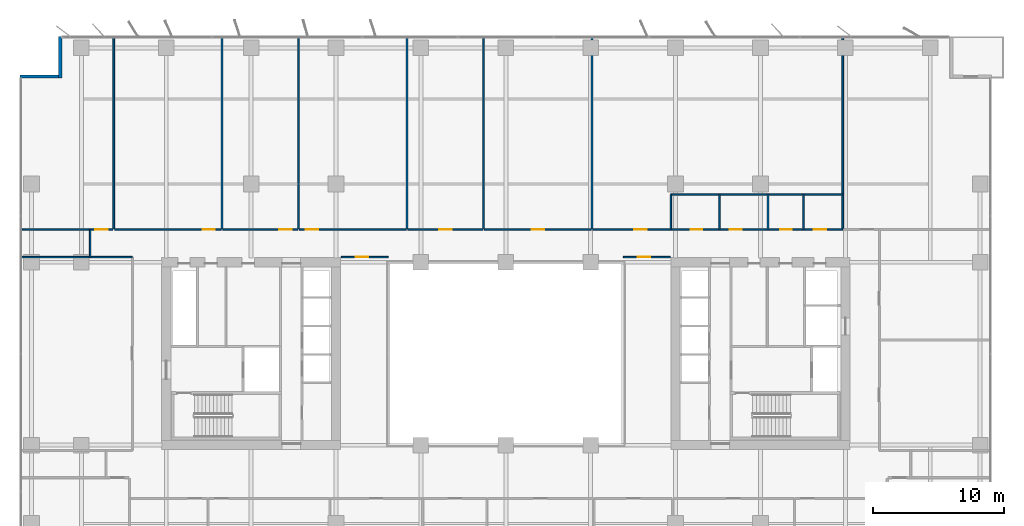
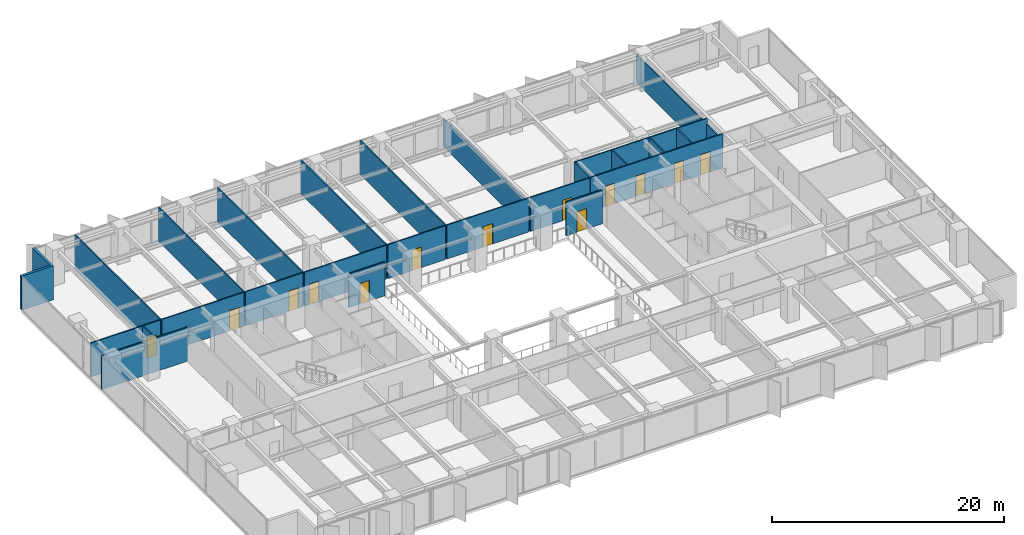
# One storey, part 15 of 20: 26 walls, 13 doors, 13 openings.
"""IFC4 building model written with IfcOpenShell, lengths in metres."""

import ifcopenshell
import ifcopenshell.guid

model = None  # the IFC model being written
_history = None  # IfcOwnerHistory: only IFC2X3 demands one
_inside = {}  # id of a spatial element -> (the spatial element, [elements in it])
_under = {}  # id of a project, library or spatial element -> (it, [spatial elements below it])
_declared = {}  # id of a project -> (the project, [libraries it declares])
_typed = {}  # id of a type object -> (the type object, [elements of that type])
_made_of = {}  # id of a material, layer set ... -> (it, [elements and type objects made of it])


def new_model(schema):
    """Start an empty IFC model of exactly this schema.

    Asked for "IFC4X3", IfcOpenShell would pick the latest addendum, in which some entities
    have other attributes; the version numbers below select the first issue.
    IFC2X3 requires an IfcOwnerHistory on every rooted entity: one is made here for all.
    """
    global model, _history
    if schema == "IFC4X3":
        model = ifcopenshell.file(schema_version=(4, 3, 0, 0))
    else:
        model = ifcopenshell.file(schema=schema)
    _inside.clear()
    _under.clear()
    _declared.clear()
    _typed.clear()
    _made_of.clear()
    _history = None
    if model.schema == "IFC2X3":
        org = make("IfcOrganization", Name="unknown")
        user = make(
            "IfcPersonAndOrganization",
            ThePerson=make("IfcPerson", FamilyName="unknown"),
            TheOrganization=org,
        )
        app = make(
            "IfcApplication",
            ApplicationDeveloper=org,
            Version="unknown",
            ApplicationFullName="unknown",
            ApplicationIdentifier="unknown",
        )
        _history = make(
            "IfcOwnerHistory",
            OwningUser=user,
            OwningApplication=app,
            ChangeAction="ADDED",
            CreationDate=0,
        )
    return model


def make(cls, **values):
    """One entity of the class cls with the attributes given. An attribute that is None is left unset."""
    return model.create_entity(
        cls, **{name: value for name, value in values.items() if value is not None}
    )


def rooted(cls, **values):
    """An entity with a GlobalId (a new one), such as an element, a storey or a relation."""
    return make(cls, GlobalId=ifcopenshell.guid.new(), OwnerHistory=_history, **values)


def si_unit(unit_type, name, prefix=None):
    """IfcSIUnit, for example si_unit("LENGTHUNIT", "METRE", prefix="MILLI")."""
    return make("IfcSIUnit", UnitType=unit_type, Prefix=prefix, Name=name)


def assignment(units):
    """IfcUnitAssignment: the units of a project."""
    return None if units is None else make("IfcUnitAssignment", Units=units)


def point(xyz):
    """IfcCartesianPoint."""
    return None if xyz is None else make("IfcCartesianPoint", Coordinates=xyz)


def direction(xyz):
    """IfcDirection."""
    return None if xyz is None else make("IfcDirection", DirectionRatios=xyz)


def frame(location, z_axis=None, x_axis=None):
    """IfcAxis2Placement3D, a coordinate frame: its origin and axes. An axis left out is left unset."""
    return make(
        "IfcAxis2Placement3D",
        Location=point(location),
        Axis=direction(z_axis),
        RefDirection=direction(x_axis),
    )


def frame_2d(location, x_axis=None):
    """IfcAxis2Placement2D, a coordinate frame in the plane: its origin and x axis."""
    return make(
        "IfcAxis2Placement2D", Location=point(location), RefDirection=direction(x_axis)
    )


def origin():
    """The frame at (0, 0, 0) with its axes left unset."""
    return frame((0.0, 0.0, 0.0))


def place(relative_to, where):
    """IfcLocalPlacement: puts the frame where relative to a parent placement (None: the world)."""
    return make(
        "IfcLocalPlacement", PlacementRelTo=relative_to, RelativePlacement=where
    )


def context(
    kind, dimensions, precision=None, world=None, true_north=None, identifier=None
):
    """IfcGeometricRepresentationContext, for example the 3D "Model" context."""
    return make(
        "IfcGeometricRepresentationContext",
        ContextIdentifier=identifier,
        ContextType=kind,
        CoordinateSpaceDimension=dimensions,
        Precision=precision,
        WorldCoordinateSystem=world,
        TrueNorth=true_north,
    )


def subcontext(parent, identifier, kind, view, scale=None):
    """IfcGeometricRepresentationSubContext, for example "Body" below "Model"."""
    return make(
        "IfcGeometricRepresentationSubContext",
        ContextIdentifier=identifier,
        ContextType=kind,
        ParentContext=parent,
        TargetScale=scale,
        TargetView=view,
    )


def project(units=None, contexts=None):
    """IfcProject with its units and contexts."""
    return rooted(
        "IfcProject",
        Name="project",
        RepresentationContexts=contexts,
        UnitsInContext=assignment(units),
    )


def spatial(cls, under=None, at=None, **own):
    """A site, building, storey or space (cls), placed at a placement, below another one or the project."""
    s = rooted(cls, ObjectPlacement=at, **own)
    if under is not None:
        _under.setdefault(under.id(), (under, []))[1].append(s)
    return s


def profile(cls, at=None, kind="AREA", **sizes):
    """A parametric profile (cls). Its sizes go by their IFC names, for example OverallWidth=200.0."""
    return make(cls, ProfileType=kind, Position=at, **sizes)


def rectangle(**sizes):
    """IfcRectangleProfileDef."""
    return profile("IfcRectangleProfileDef", **sizes)


def extrude(swept, where, along, depth):
    """IfcExtrudedAreaSolid: the profile swept, set in the frame where, extruded along a direction by depth."""
    return make(
        "IfcExtrudedAreaSolid",
        SweptArea=swept,
        Position=where,
        ExtrudedDirection=direction(along),
        Depth=depth,
    )


def shape(context_of_items, identifier, shape_type, items):
    """IfcShapeRepresentation: the items that make up one representation, for example the "Body"."""
    return make(
        "IfcShapeRepresentation",
        ContextOfItems=context_of_items,
        RepresentationIdentifier=identifier,
        RepresentationType=shape_type,
        Items=items,
    )


def material(Name=None, Category=None):
    """IfcMaterial."""
    return make("IfcMaterial", Name=Name, Category=Category)


def layer(
    of_material, thickness, ventilated=None, Name=None, Category=None, Priority=None
):
    """IfcMaterialLayer: one layer of a wall or slab, of a material (None: an air gap)."""
    return make(
        "IfcMaterialLayer",
        Material=of_material,
        LayerThickness=thickness,
        IsVentilated=ventilated,
        Name=Name,
        Category=Category,
        Priority=Priority,
    )


def layer_set(layers, Name=None):
    """IfcMaterialLayerSet."""
    return make("IfcMaterialLayerSet", MaterialLayers=layers, LayerSetName=Name)


def made_of(thing, what):
    """Note that an element or type object is made of a material, layer set ...; save() writes the relation."""
    if what is not None:
        _made_of.setdefault(what.id(), (what, []))[1].append(thing)
    return thing


def type_object(cls, material=None, **own):
    """A type object (cls), such as IfcWallType, which elements share."""
    return made_of(rooted(cls, **own), material)


def element(
    cls,
    number,
    at=None,
    inside=None,
    cuts=None,
    type_object=None,
    material=None,
    context=None,
    identifier="Body",
    shape_type=None,
    held_by="IfcProductDefinitionShape",
    body=None,
    shapes=None,
    **own,
):
    """One element of the class cls, such as IfcWall. Its Tag is "e" and its number.

    at: its placement. inside: the storey or other place that contains it. cuts: it is an
    opening in that element (IfcRelVoidsElement). A single representation is given by context,
    identifier, shape_type and body (its items); several are given by shapes. held_by: the class
    of the entity that holds the representations. save() writes the other relations.
    """
    e = rooted(cls, Tag="e%d" % number, ObjectPlacement=at, **own)
    if body is not None:
        shapes = [shape(context, identifier, shape_type, body)]
    if shapes is not None:
        e.Representation = make(held_by, Representations=shapes)
    if inside is not None:
        _inside.setdefault(inside.id(), (inside, []))[1].append(e)
    if cuts is not None:
        rooted(
            "IfcRelVoidsElement", RelatingBuildingElement=cuts, RelatedOpeningElement=e
        )
    if type_object is not None:
        _typed.setdefault(type_object.id(), (type_object, []))[1].append(e)
    return made_of(e, material)


def fill(opening, filler):
    """IfcRelFillsElement: the door or window that sits in an opening."""
    return rooted(
        "IfcRelFillsElement",
        RelatingOpeningElement=opening,
        RelatedBuildingElement=filler,
    )


def aggregate(whole, parts):
    """IfcRelAggregates: a whole, such as a stair, and the parts it consists of."""
    return rooted("IfcRelAggregates", RelatingObject=whole, RelatedObjects=parts)


def save(model, path):
    """Write the relations noted so far, then the file.

    IfcRelAggregates (storeys below a building ...), IfcRelContainedInSpatialStructure (elements
    in a storey), IfcRelDefinesByType, IfcRelAssociatesMaterial and IfcRelDeclares: one each for
    every whole, place, type object, material and project.
    """
    for whole, parts in _under.values():
        aggregate(whole, parts)
    for where, things in _inside.values():
        rooted(
            "IfcRelContainedInSpatialStructure",
            RelatedElements=things,
            RelatingStructure=where,
        )
    for kind, things in _typed.values():
        rooted("IfcRelDefinesByType", RelatedObjects=things, RelatingType=kind)
    for what, things in _made_of.values():
        rooted("IfcRelAssociatesMaterial", RelatedObjects=things, RelatingMaterial=what)
    for by, libraries in _declared.values():
        rooted("IfcRelDeclares", RelatingContext=by, RelatedDefinitions=libraries)
    model.write(path)


model = new_model("IFC4")

# Units and contexts
model_context = context("Model", 3, precision=1e-05, world=origin(), true_north=direction((0.0, 1.0)))
body_context = subcontext(model_context, "Body", "Model", "MODEL_VIEW")
ifc_project = project(units=[si_unit("LENGTHUNIT", "METRE"), si_unit("AREAUNIT", "SQUARE_METRE"), si_unit("VOLUMEUNIT", "CUBIC_METRE"), si_unit("PLANEANGLEUNIT", "RADIAN"), si_unit("MASSUNIT", "GRAM", prefix="KILO")], contexts=[model_context])

# Site, building, storey
site_placement = place(None, origin())
site = spatial("IfcSite", under=ifc_project, at=site_placement, CompositionType="ELEMENT")
building_placement = place(site_placement, origin())
building = spatial("IfcBuilding", under=site, at=building_placement, Name="Putna Gate Headquarters", CompositionType="ELEMENT")
storey_placement = place(building_placement, frame((0.0, 0.0, 127.800048828125)))
storey = spatial("IfcBuildingStorey", under=building, at=storey_placement, Name="L31", CompositionType="ELEMENT", Elevation=127.800048828125)

# Walls
ifc_material_1 = material(Name="Precast concrete C40/50", Category="concrete")
ifc_layer_1 = layer(ifc_material_1, 0.239990234375)
ifc_layer_set_1 = layer_set([ifc_layer_1], Name="Precast concrete C40/50")
wall_type_1 = type_object("IfcWallType", Name="WALL-EXT-TERR-240", PredefinedType="STANDARD", material=ifc_layer_set_1)
for number, where, z_axis, x_axis, name in (
    (1, (4.8798828125, 47.10009765625, 0.0), (0.0, 0.0, 1.0), (0.0, 1.0, 0.0), "L31 Corner Notch Return Wall NW-V"),
    (2, (1.800048828125, 47.219970703125, 0.0), (0.0, 0.0, 1.0), (1.0, 0.0, 0.0), "L31 Corner Notch Return Wall NW-H"),
):
    element("IfcWall", number, at=place(storey_placement, frame(where, z_axis=z_axis, x_axis=x_axis)), inside=storey, type_object=wall_type_1, Name=name, PredefinedType="STANDARD", context=body_context, shape_type="SweptSolid", body=[
        extrude(rectangle(XDim=3.199951171875, YDim=0.239990234375, at=frame_2d((1.60009765625, 0.0))), origin(), (0.0, 0.0, 1.0), 3.56494140625),
    ])

# Wall, opening, door
ifc_material_2 = material(Name="Acoustic gypsum board on metal stud")
ifc_layer_2 = layer(ifc_material_2, 0.1201171875)
ifc_layer_set_2 = layer_set([ifc_layer_2], Name="Acoustic gypsum board on metal stud")
wall_type_2 = type_object("IfcWallType", Name="WALL-PART-120", PredefinedType="PARTITIONING", material=ifc_layer_set_2)
wall_1_placement = place(storey_placement, frame((26.39990234375, 33.39990234375, 0.0), z_axis=(0.0, 0.0, 1.0), x_axis=(1.0, 0.0, 0.0)))
wall_1 = element("IfcWall", 3, at=wall_1_placement, inside=storey, type_object=wall_type_2, Name="L31 Interior Wall PART-L31-ATR-W-N", PredefinedType="PARTITIONING", context=body_context, shape_type="SweptSolid", body=[
    extrude(rectangle(XDim=3.60009765625, YDim=0.1201171875, at=frame_2d((1.800048828125, 0.0))), origin(), (0.0, 0.0, 1.0), 3.56494140625),
])
opening_1_placement = place(wall_1_placement, frame((1.10009765625, 0.0, 0.0)))
opening_1 = element("IfcOpeningElement", 4, at=opening_1_placement, cuts=wall_1, Name="Opening ID-95", PredefinedType="OPENING", context=body_context, shape_type="SweptSolid", body=[
    extrude(rectangle(XDim=0.949951171875, YDim=2.14990234375, at=frame_2d((0.47509765625, 1.074951171875))), frame((0.0, 0.070068359375, 0.0), z_axis=(0.0, -1.0, 0.0), x_axis=(1.0, 0.0, 0.0)), (0.0, 0.0, 1.0), 0.14013671875),
])
ifc_material_3 = material(Name="Veneered acoustic timber door", Category="wood")
door_type_1 = type_object("IfcDoorType", Name="DOOR-OFF-950", OperationType="NOTDEFINED", PredefinedType="DOOR", material=ifc_material_3)
door_1_placement = place(opening_1_placement, origin())
door_1 = element("IfcDoor", 5, at=door_1_placement, inside=storey, type_object=door_type_1, Name="L31 West Atrium Lounge Door", OperationType="SINGLE_SWING_LEFT", OverallHeight=2.14990234375, OverallWidth=0.949951171875, PredefinedType="DOOR", context=body_context, shape_type="SweptSolid", body=[
    extrude(rectangle(XDim=0.949951171875, YDim=2.14990234375, at=frame_2d((0.47509765625, 1.074951171875))), frame((0.0, 0.02490234375, 0.0), z_axis=(0.0, -1.0, 0.0), x_axis=(1.0, 0.0, 0.0)), (0.0, 0.0, 1.0), 0.050048828125),
])
fill(opening_1, door_1)

wall_2_placement = place(storey_placement, frame((48.0, 33.39990234375, 0.0), z_axis=(0.0, 0.0, 1.0), x_axis=(1.0, 0.0, 0.0)))
wall_2 = element("IfcWall", 6, at=wall_2_placement, inside=storey, type_object=wall_type_2, Name="L31 Interior Wall PART-L31-ATR-E-N", PredefinedType="PARTITIONING", context=body_context, shape_type="SweptSolid", body=[
    extrude(rectangle(XDim=3.60009765625, YDim=0.1201171875, at=frame_2d((1.800048828125, 0.0))), origin(), (0.0, 0.0, 1.0), 3.56494140625),
])
opening_2_placement = place(wall_2_placement, frame((1.10009765625, 0.0, 0.0)))
opening_2 = element("IfcOpeningElement", 7, at=opening_2_placement, cuts=wall_2, Name="Opening ID-95", PredefinedType="OPENING", context=body_context, shape_type="SweptSolid", body=[
    extrude(rectangle(XDim=0.949951171875, YDim=2.14990234375, at=frame_2d((0.47509765625, 1.074951171875))), frame((0.0, 0.070068359375, 0.0), z_axis=(0.0, -1.0, 0.0), x_axis=(1.0, 0.0, 0.0)), (0.0, 0.0, 1.0), 0.14013671875),
])
door_2_placement = place(opening_2_placement, origin())
door_2 = element("IfcDoor", 8, at=door_2_placement, inside=storey, type_object=door_type_1, Name="L31 East Atrium Lounge Door", OperationType="SINGLE_SWING_RIGHT", OverallHeight=2.14990234375, OverallWidth=0.949951171875, PredefinedType="DOOR", context=body_context, shape_type="SweptSolid", body=[
    extrude(rectangle(XDim=0.949951171875, YDim=2.14990234375, at=frame_2d((0.47509765625, 1.074951171875))), frame((0.0, 0.02490234375, 0.0), z_axis=(0.0, -1.0, 0.0), x_axis=(1.0, 0.0, 0.0)), (0.0, 0.0, 1.0), 0.050048828125),
])
fill(opening_2, door_2)

# Walls
for number, where, z_axis, x_axis, name in (
    (9, (8.9765625, 35.56005859375, 0.0), (0.0, 0.0, 1.0), (0.0, 1.0, 0.0), "L31 Interior Wall PART-L31-NB-DIV-01"),
    (10, (17.2685546875, 35.56005859375, 0.0), (0.0, 0.0, 1.0), (0.0, 1.0, 0.0), "L31 Interior Wall PART-L31-NB-DIV-02"),
    (11, (23.14208984375, 35.56005859375, 0.0), (0.0, 0.0, 1.0), (0.0, 1.0, 0.0), "L31 Interior Wall PART-L31-NB-DIV-03"),
    (12, (31.434326171875, 35.56005859375, 0.0), (0.0, 0.0, 1.0), (0.0, 1.0, 0.0), "L31 Interior Wall PART-L31-NB-DIV-04"),
    (13, (37.307861328125, 35.56005859375, 0.0), (0.0, 0.0, 1.0), (0.0, 1.0, 0.0), "L31 Interior Wall PART-L31-NB-DIV-05"),
):
    element("IfcWall", number, at=place(storey_placement, frame(where, z_axis=z_axis, x_axis=x_axis)), inside=storey, type_object=wall_type_2, Name=name, PredefinedType="PARTITIONING", context=body_context, shape_type="SweptSolid", body=[
        extrude(rectangle(XDim=14.719970703125, YDim=0.1201171875, at=frame_2d((7.35986328125, 0.0))), origin(), (0.0, 0.0, 1.0), 3.56494140625),
    ])
for number, where, z_axis, x_axis, name in (
    (14, (45.60009765625, 35.56005859375, 0.0), (0.0, 0.0, 1.0), (0.0, 1.0, 0.0), "L31 Interior Wall PART-L31-NB-DIV-06"),
    (15, (64.800048828125, 35.56005859375, 0.0), (0.0, 0.0, 1.0), (0.0, 1.0, 0.0), "L31 Interior Wall PART-L31-NB-DIV-07"),
):
    element("IfcWall", number, at=place(storey_placement, frame(where, z_axis=z_axis, x_axis=x_axis)), inside=storey, type_object=wall_type_2, Name=name, PredefinedType="PARTITIONING", context=body_context, shape_type="SweptSolid", body=[
        extrude(rectangle(XDim=14.719970703125, YDim=0.1201171875, at=frame_2d((7.35986328125, 0.0))), origin(), (0.0, 0.0, 1.0), 2.96484375),
    ])
ifc_material_4 = material(Name="Fire-rated gypsum board on metal stud")
ifc_layer_3 = layer(ifc_material_4, 0.1201171875)
ifc_layer_set_3 = layer_set([ifc_layer_3], Name="Fire-rated gypsum board on metal stud")
wall_type_3 = type_object("IfcWallType", Name="WALL-PART-120-RATED", PredefinedType="PARTITIONING", material=ifc_layer_set_3)
wall_3_placement = place(storey_placement, frame((7.176513671875, 33.39990234375, 0.0), z_axis=(0.0, 0.0, 1.0), x_axis=(0.0, 1.0, 0.0)))
element("IfcWall", 16, at=wall_3_placement, inside=storey, type_object=wall_type_3, Name="L31 Interior Wall PART-L31-CORRN-CAPW", PredefinedType="PARTITIONING", context=body_context, shape_type="SweptSolid", body=[
    extrude(rectangle(XDim=2.10009765625, YDim=0.1201171875, at=frame_2d((1.050048828125, 0.0))), origin(), (0.0, 0.0, 1.0), 3.56494140625),
])

# Wall, openings, doors
wall_4_placement = place(storey_placement, frame((51.639892578125, 35.5, 0.0), z_axis=(0.0, 0.0, 1.0), x_axis=(1.0, 0.0, 0.0)))
wall_4 = element("IfcWall", 17, at=wall_4_placement, inside=storey, type_object=wall_type_3, Name="L31 Interior Wall PART-L31-SAN-CW", PredefinedType="PARTITIONING", context=body_context, shape_type="SweptSolid", body=[
    extrude(rectangle(XDim=13.16015625, YDim=0.1201171875, at=frame_2d((6.580078125, 0.0))), origin(), (0.0, 0.0, 1.0), 3.56494140625),
])
opening_3_placement = place(wall_4_placement, frame((1.510009765625, 0.0, 0.0)))
opening_3 = element("IfcOpeningElement", 18, at=opening_3_placement, cuts=wall_4, Name="Opening FD-90", PredefinedType="OPENING", context=body_context, shape_type="SweptSolid", body=[
    extrude(rectangle(XDim=0.89990234375, YDim=2.14990234375, at=frame_2d((0.449951171875, 1.074951171875))), frame((0.0, 0.070068359375, 0.0), z_axis=(0.0, -1.0, 0.0), x_axis=(1.0, 0.0, 0.0)), (0.0, 0.0, 1.0), 0.14013671875),
])
opening_4_placement = place(wall_4_placement, frame((4.510009765625, 0.0, 0.0)))
opening_4 = element("IfcOpeningElement", 19, at=opening_4_placement, cuts=wall_4, Name="Opening FD-90", PredefinedType="OPENING", context=body_context, shape_type="SweptSolid", body=[
    extrude(rectangle(XDim=0.89990234375, YDim=2.14990234375, at=frame_2d((0.449951171875, 1.074951171875))), frame((0.0, 0.070068359375, 0.0), z_axis=(0.0, -1.0, 0.0), x_axis=(1.0, 0.0, 0.0)), (0.0, 0.0, 1.0), 0.14013671875),
])
opening_5_placement = place(wall_4_placement, frame((8.360107421875, 0.0, 0.0)))
opening_5 = element("IfcOpeningElement", 20, at=opening_5_placement, cuts=wall_4, Name="Opening FD-90", PredefinedType="OPENING", context=body_context, shape_type="SweptSolid", body=[
    extrude(rectangle(XDim=0.89990234375, YDim=2.14990234375, at=frame_2d((0.449951171875, 1.074951171875))), frame((0.0, 0.070068359375, 0.0), z_axis=(0.0, -1.0, 0.0), x_axis=(1.0, 0.0, 0.0)), (0.0, 0.0, 1.0), 0.14013671875),
])
opening_6_placement = place(wall_4_placement, frame((10.9599609375, 0.0, 0.0)))
opening_6 = element("IfcOpeningElement", 21, at=opening_6_placement, cuts=wall_4, Name="Opening FD-95", PredefinedType="OPENING", context=body_context, shape_type="SweptSolid", body=[
    extrude(rectangle(XDim=0.949951171875, YDim=2.14990234375, at=frame_2d((0.47509765625, 1.074951171875))), frame((0.0, 0.070068359375, 0.0), z_axis=(0.0, -1.0, 0.0), x_axis=(1.0, 0.0, 0.0)), (0.0, 0.0, 1.0), 0.14013671875),
])
ifc_material_5 = material(Name="Acoustic washroom fire door")
door_type_2 = type_object("IfcDoorType", Name="DOOR-FIRE-900", OperationType="NOTDEFINED", PredefinedType="DOOR", material=ifc_material_5)
door_3_placement = place(opening_3_placement, origin())
door_3 = element("IfcDoor", 22, at=door_3_placement, inside=storey, type_object=door_type_2, Name="L31 Washroom Male Door", OperationType="SINGLE_SWING_LEFT", OverallHeight=2.14990234375, OverallWidth=0.89990234375, PredefinedType="DOOR", context=body_context, shape_type="SweptSolid", body=[
    extrude(rectangle(XDim=0.89990234375, YDim=2.14990234375, at=frame_2d((0.449951171875, 1.074951171875))), frame((0.0, 0.02490234375, 0.0), z_axis=(0.0, -1.0, 0.0), x_axis=(1.0, 0.0, 0.0)), (0.0, 0.0, 1.0), 0.050048828125),
])
fill(opening_3, door_3)
door_4_placement = place(opening_4_placement, origin())
door_4 = element("IfcDoor", 23, at=door_4_placement, inside=storey, type_object=door_type_2, Name="L31 Washroom Female Door", OperationType="SINGLE_SWING_RIGHT", OverallHeight=2.14990234375, OverallWidth=0.89990234375, PredefinedType="DOOR", context=body_context, shape_type="SweptSolid", body=[
    extrude(rectangle(XDim=0.89990234375, YDim=2.14990234375, at=frame_2d((0.449951171875, 1.074951171875))), frame((0.0, 0.02490234375, 0.0), z_axis=(0.0, -1.0, 0.0), x_axis=(1.0, 0.0, 0.0)), (0.0, 0.0, 1.0), 0.050048828125),
])
fill(opening_4, door_4)
door_5_placement = place(opening_5_placement, origin())
door_5 = element("IfcDoor", 24, at=door_5_placement, inside=storey, type_object=door_type_2, Name="L31 Accessible WC Door", OperationType="SINGLE_SWING_LEFT", OverallHeight=2.14990234375, OverallWidth=0.89990234375, PredefinedType="DOOR", context=body_context, shape_type="SweptSolid", body=[
    extrude(rectangle(XDim=0.89990234375, YDim=2.14990234375, at=frame_2d((0.449951171875, 1.074951171875))), frame((0.0, 0.02490234375, 0.0), z_axis=(0.0, -1.0, 0.0), x_axis=(1.0, 0.0, 0.0)), (0.0, 0.0, 1.0), 0.050048828125),
])
fill(opening_5, door_5)
ifc_material_6 = material(Name="Acoustic timber fire door", Category="wood")
door_type_3 = type_object("IfcDoorType", Name="DOOR-FIRE-950", OperationType="NOTDEFINED", PredefinedType="DOOR", material=ifc_material_6)
door_6_placement = place(opening_6_placement, origin())
door_6 = element("IfcDoor", 25, at=door_6_placement, inside=storey, type_object=door_type_3, Name="L31 Staff Pantry and Tea Point Door", OperationType="SINGLE_SWING_RIGHT", OverallHeight=2.14990234375, OverallWidth=0.949951171875, PredefinedType="DOOR", context=body_context, shape_type="SweptSolid", body=[
    extrude(rectangle(XDim=0.949951171875, YDim=2.14990234375, at=frame_2d((0.47509765625, 1.074951171875))), frame((0.0, 0.02490234375, 0.0), z_axis=(0.0, -1.0, 0.0), x_axis=(1.0, 0.0, 0.0)), (0.0, 0.0, 1.0), 0.050048828125),
])
fill(opening_6, door_6)

# Walls
wall_5_placement = place(storey_placement, frame((51.639892578125, 38.179931640625, 0.0), z_axis=(0.0, 0.0, 1.0), x_axis=(1.0, 0.0, 0.0)))
element("IfcWall", 26, at=wall_5_placement, inside=storey, type_object=wall_type_3, Name="L31 Interior Wall PART-L31-SAN-BACK", PredefinedType="PARTITIONING", context=body_context, shape_type="SweptSolid", body=[
    extrude(rectangle(XDim=13.16015625, YDim=0.1201171875, at=frame_2d((6.580078125, 0.0))), origin(), (0.0, 0.0, 1.0), 3.56494140625),
])
for number, where, z_axis, x_axis, name in (
    (27, (51.639892578125, 35.5, 0.0), (0.0, 0.0, 1.0), (0.0, 1.0, 0.0), "L31 Interior Wall PART-L31-SAN-DIV-1"),
    (28, (55.360107421875, 35.5, 0.0), (0.0, 0.0, 1.0), (0.0, 1.0, 0.0), "L31 Interior Wall PART-L31-SAN-DIV-2"),
    (29, (59.080078125, 35.5, 0.0), (0.0, 0.0, 1.0), (0.0, 1.0, 0.0), "L31 Interior Wall PART-L31-SAN-DIV-3"),
    (30, (61.800048828125, 35.5, 0.0), (0.0, 0.0, 1.0), (0.0, 1.0, 0.0), "L31 Interior Wall PART-L31-SAN-DIV-4"),
):
    element("IfcWall", number, at=place(storey_placement, frame(where, z_axis=z_axis, x_axis=x_axis)), inside=storey, type_object=wall_type_3, Name=name, PredefinedType="PARTITIONING", context=body_context, shape_type="SweptSolid", body=[
        extrude(rectangle(XDim=2.679931640625, YDim=0.1201171875, at=frame_2d((1.33984375, 0.0))), origin(), (0.0, 0.0, 1.0), 3.56494140625),
    ])

# Wall, opening, door
wall_6_placement = place(storey_placement, frame((1.97998046875, 35.5, 0.0), z_axis=(0.0, 0.0, 1.0), x_axis=(1.0, 0.0, 0.0)))
wall_6 = element("IfcWall", 31, at=wall_6_placement, inside=storey, type_object=wall_type_3, Name="L31 Interior Wall PART-L31-NB-CW-01", PredefinedType="PARTITIONING", context=body_context, shape_type="SweptSolid", body=[
    extrude(rectangle(XDim=6.9365234375, YDim=0.1201171875, at=frame_2d((3.46826171875, 0.0))), origin(), (0.0, 0.0, 1.0), 3.56494140625),
])
opening_7_placement = place(wall_6_placement, frame((5.591552734375, 0.0, 0.0)))
opening_7 = element("IfcOpeningElement", 32, at=opening_7_placement, cuts=wall_6, Name="Opening FD-95", PredefinedType="OPENING", context=body_context, shape_type="SweptSolid", body=[
    extrude(rectangle(XDim=0.949951171875, YDim=2.14990234375, at=frame_2d((0.47509765625, 1.074951171875))), frame((0.0, 0.070068359375, 0.0), z_axis=(0.0, -1.0, 0.0), x_axis=(1.0, 0.0, 0.0)), (0.0, 0.0, 1.0), 0.14013671875),
])
door_7_placement = place(opening_7_placement, origin())
door_7 = element("IfcDoor", 33, at=door_7_placement, inside=storey, type_object=door_type_3, Name="L31 Conference Meeting Room 7 Door", OperationType="SINGLE_SWING_LEFT", OverallHeight=2.14990234375, OverallWidth=0.949951171875, PredefinedType="DOOR", context=body_context, shape_type="SweptSolid", body=[
    extrude(rectangle(XDim=0.949951171875, YDim=2.14990234375, at=frame_2d((0.47509765625, 1.074951171875))), frame((0.0, 0.02490234375, 0.0), z_axis=(0.0, -1.0, 0.0), x_axis=(1.0, 0.0, 0.0)), (0.0, 0.0, 1.0), 0.050048828125),
])
fill(opening_7, door_7)

wall_7_placement = place(storey_placement, frame((9.03662109375, 35.5, 0.0), z_axis=(0.0, 0.0, 1.0), x_axis=(1.0, 0.0, 0.0)))
wall_7 = element("IfcWall", 34, at=wall_7_placement, inside=storey, type_object=wall_type_3, Name="L31 Interior Wall PART-L31-NB-CW-02", PredefinedType="PARTITIONING", context=body_context, shape_type="SweptSolid", body=[
    extrude(rectangle(XDim=8.171875, YDim=0.1201171875, at=frame_2d((4.0859375, 0.0))), origin(), (0.0, 0.0, 1.0), 3.56494140625),
])
opening_8_placement = place(wall_7_placement, frame((6.7421875, 0.0, 0.0)))
opening_8 = element("IfcOpeningElement", 35, at=opening_8_placement, cuts=wall_7, Name="Opening FD-95", PredefinedType="OPENING", context=body_context, shape_type="SweptSolid", body=[
    extrude(rectangle(XDim=0.949951171875, YDim=2.14990234375, at=frame_2d((0.47509765625, 1.074951171875))), frame((0.0, 0.070068359375, 0.0), z_axis=(0.0, -1.0, 0.0), x_axis=(1.0, 0.0, 0.0)), (0.0, 0.0, 1.0), 0.14013671875),
])
door_8_placement = place(opening_8_placement, origin())
door_8 = element("IfcDoor", 36, at=door_8_placement, inside=storey, type_object=door_type_3, Name="L31 Quiet Wellness Focus Studio 1 Door", OperationType="SINGLE_SWING_RIGHT", OverallHeight=2.14990234375, OverallWidth=0.949951171875, PredefinedType="DOOR", context=body_context, shape_type="SweptSolid", body=[
    extrude(rectangle(XDim=0.949951171875, YDim=2.14990234375, at=frame_2d((0.47509765625, 1.074951171875))), frame((0.0, 0.02490234375, 0.0), z_axis=(0.0, -1.0, 0.0), x_axis=(1.0, 0.0, 0.0)), (0.0, 0.0, 1.0), 0.050048828125),
])
fill(opening_8, door_8)

wall_8_placement = place(storey_placement, frame((17.32861328125, 35.5, 0.0), z_axis=(0.0, 0.0, 1.0), x_axis=(1.0, 0.0, 0.0)))
wall_8 = element("IfcWall", 37, at=wall_8_placement, inside=storey, type_object=wall_type_3, Name="L31 Interior Wall PART-L31-NB-CW-03", PredefinedType="PARTITIONING", context=body_context, shape_type="SweptSolid", body=[
    extrude(rectangle(XDim=5.753662109375, YDim=0.1201171875, at=frame_2d((2.876953125, 0.0))), origin(), (0.0, 0.0, 1.0), 3.56494140625),
])
opening_9_placement = place(wall_8_placement, frame((4.323486328125, 0.0, 0.0)))
opening_9 = element("IfcOpeningElement", 38, at=opening_9_placement, cuts=wall_8, Name="Opening FD-95", PredefinedType="OPENING", context=body_context, shape_type="SweptSolid", body=[
    extrude(rectangle(XDim=0.949951171875, YDim=2.14990234375, at=frame_2d((0.47509765625, 1.074951171875))), frame((0.0, 0.070068359375, 0.0), z_axis=(0.0, -1.0, 0.0), x_axis=(1.0, 0.0, 0.0)), (0.0, 0.0, 1.0), 0.14013671875),
])
door_9_placement = place(opening_9_placement, origin())
door_9 = element("IfcDoor", 39, at=door_9_placement, inside=storey, type_object=door_type_3, Name="L31 Quiet Wellness Focus Studio 2 Door", OperationType="SINGLE_SWING_LEFT", OverallHeight=2.14990234375, OverallWidth=0.949951171875, PredefinedType="DOOR", context=body_context, shape_type="SweptSolid", body=[
    extrude(rectangle(XDim=0.949951171875, YDim=2.14990234375, at=frame_2d((0.47509765625, 1.074951171875))), frame((0.0, 0.02490234375, 0.0), z_axis=(0.0, -1.0, 0.0), x_axis=(1.0, 0.0, 0.0)), (0.0, 0.0, 1.0), 0.050048828125),
])
fill(opening_9, door_9)

wall_9_placement = place(storey_placement, frame((23.2021484375, 35.5, 0.0), z_axis=(0.0, 0.0, 1.0), x_axis=(1.0, 0.0, 0.0)))
wall_9 = element("IfcWall", 40, at=wall_9_placement, inside=storey, type_object=wall_type_3, Name="L31 Interior Wall PART-L31-NB-CW-04", PredefinedType="PARTITIONING", context=body_context, shape_type="SweptSolid", body=[
    extrude(rectangle(XDim=8.172119140625, YDim=0.1201171875, at=frame_2d((4.0859375, 0.0))), origin(), (0.0, 0.0, 1.0), 3.56494140625),
])
opening_10_placement = place(wall_9_placement, frame((0.47998046875, 0.0, 0.0)))
opening_10 = element("IfcOpeningElement", 41, at=opening_10_placement, cuts=wall_9, Name="Opening FD-95", PredefinedType="OPENING", context=body_context, shape_type="SweptSolid", body=[
    extrude(rectangle(XDim=0.949951171875, YDim=2.14990234375, at=frame_2d((0.47509765625, 1.074951171875))), frame((0.0, 0.070068359375, 0.0), z_axis=(0.0, -1.0, 0.0), x_axis=(1.0, 0.0, 0.0)), (0.0, 0.0, 1.0), 0.14013671875),
])
door_10_placement = place(opening_10_placement, origin())
door_10 = element("IfcDoor", 42, at=door_10_placement, inside=storey, type_object=door_type_3, Name="L31 Quiet Wellness Focus Studio 3 Door", OperationType="SINGLE_SWING_RIGHT", OverallHeight=2.14990234375, OverallWidth=0.949951171875, PredefinedType="DOOR", context=body_context, shape_type="SweptSolid", body=[
    extrude(rectangle(XDim=0.949951171875, YDim=2.14990234375, at=frame_2d((0.47509765625, 1.074951171875))), frame((0.0, 0.02490234375, 0.0), z_axis=(0.0, -1.0, 0.0), x_axis=(1.0, 0.0, 0.0)), (0.0, 0.0, 1.0), 0.050048828125),
])
fill(opening_10, door_10)

wall_10_placement = place(storey_placement, frame((31.494384765625, 35.5, 0.0), z_axis=(0.0, 0.0, 1.0), x_axis=(1.0, 0.0, 0.0)))
wall_10 = element("IfcWall", 43, at=wall_10_placement, inside=storey, type_object=wall_type_3, Name="L31 Interior Wall PART-L31-NB-CW-05", PredefinedType="PARTITIONING", context=body_context, shape_type="SweptSolid", body=[
    extrude(rectangle(XDim=5.75341796875, YDim=0.1201171875, at=frame_2d((2.876708984375, 0.0))), origin(), (0.0, 0.0, 1.0), 3.56494140625),
])
opening_11_placement = place(wall_10_placement, frame((2.40185546875, 0.0, 0.0)))
opening_11 = element("IfcOpeningElement", 44, at=opening_11_placement, cuts=wall_10, Name="Opening FD-95", PredefinedType="OPENING", context=body_context, shape_type="SweptSolid", body=[
    extrude(rectangle(XDim=0.949951171875, YDim=2.14990234375, at=frame_2d((0.47509765625, 1.074951171875))), frame((0.0, 0.070068359375, 0.0), z_axis=(0.0, -1.0, 0.0), x_axis=(1.0, 0.0, 0.0)), (0.0, 0.0, 1.0), 0.14013671875),
])
door_11_placement = place(opening_11_placement, origin())
door_11 = element("IfcDoor", 45, at=door_11_placement, inside=storey, type_object=door_type_3, Name="L31 Cellular Office 1 Door", OperationType="SINGLE_SWING_LEFT", OverallHeight=2.14990234375, OverallWidth=0.949951171875, PredefinedType="DOOR", context=body_context, shape_type="SweptSolid", body=[
    extrude(rectangle(XDim=0.949951171875, YDim=2.14990234375, at=frame_2d((0.47509765625, 1.074951171875))), frame((0.0, 0.02490234375, 0.0), z_axis=(0.0, -1.0, 0.0), x_axis=(1.0, 0.0, 0.0)), (0.0, 0.0, 1.0), 0.050048828125),
])
fill(opening_11, door_11)

wall_11_placement = place(storey_placement, frame((37.367919921875, 35.5, 0.0), z_axis=(0.0, 0.0, 1.0), x_axis=(1.0, 0.0, 0.0)))
wall_11 = element("IfcWall", 46, at=wall_11_placement, inside=storey, type_object=wall_type_3, Name="L31 Interior Wall PART-L31-NB-CW-06", PredefinedType="PARTITIONING", context=body_context, shape_type="SweptSolid", body=[
    extrude(rectangle(XDim=8.172119140625, YDim=0.1201171875, at=frame_2d((4.0859375, 0.0))), origin(), (0.0, 0.0, 1.0), 3.56494140625),
])
opening_12_placement = place(wall_11_placement, frame((3.611083984375, 0.0, 0.0)))
opening_12 = element("IfcOpeningElement", 47, at=opening_12_placement, cuts=wall_11, Name="Opening FD-95", PredefinedType="OPENING", context=body_context, shape_type="SweptSolid", body=[
    extrude(rectangle(XDim=0.949951171875, YDim=2.14990234375, at=frame_2d((0.47509765625, 1.074951171875))), frame((0.0, 0.070068359375, 0.0), z_axis=(0.0, -1.0, 0.0), x_axis=(1.0, 0.0, 0.0)), (0.0, 0.0, 1.0), 0.14013671875),
])
door_12_placement = place(opening_12_placement, origin())
door_12 = element("IfcDoor", 48, at=door_12_placement, inside=storey, type_object=door_type_3, Name="L31 Cellular Office 2 Door", OperationType="SINGLE_SWING_RIGHT", OverallHeight=2.14990234375, OverallWidth=0.949951171875, PredefinedType="DOOR", context=body_context, shape_type="SweptSolid", body=[
    extrude(rectangle(XDim=0.949951171875, YDim=2.14990234375, at=frame_2d((0.47509765625, 1.074951171875))), frame((0.0, 0.02490234375, 0.0), z_axis=(0.0, -1.0, 0.0), x_axis=(1.0, 0.0, 0.0)), (0.0, 0.0, 1.0), 0.050048828125),
])
fill(opening_12, door_12)

wall_12_placement = place(storey_placement, frame((45.659912109375, 35.5, 0.0), z_axis=(0.0, 0.0, 1.0), x_axis=(1.0, 0.0, 0.0)))
wall_12 = element("IfcWall", 49, at=wall_12_placement, inside=storey, type_object=wall_type_3, Name="L31 Interior Wall PART-L31-NB-CW-07", PredefinedType="PARTITIONING", context=body_context, shape_type="SweptSolid", body=[
    extrude(rectangle(XDim=5.920166015625, YDim=0.1201171875, at=frame_2d((2.9599609375, 0.0))), origin(), (0.0, 0.0, 1.0), 3.56494140625),
])
opening_13_placement = place(wall_12_placement, frame((3.194091796875, 0.0, 0.0)))
opening_13 = element("IfcOpeningElement", 50, at=opening_13_placement, cuts=wall_12, Name="Opening FD-95", PredefinedType="OPENING", context=body_context, shape_type="SweptSolid", body=[
    extrude(rectangle(XDim=0.949951171875, YDim=2.14990234375, at=frame_2d((0.47509765625, 1.074951171875))), frame((0.0, 0.070068359375, 0.0), z_axis=(0.0, -1.0, 0.0), x_axis=(1.0, 0.0, 0.0)), (0.0, 0.0, 1.0), 0.14013671875),
])
door_13_placement = place(opening_13_placement, origin())
door_13 = element("IfcDoor", 51, at=door_13_placement, inside=storey, type_object=door_type_3, Name="L31 Primary Open Office Workplace Door", OperationType="SINGLE_SWING_LEFT", OverallHeight=2.14990234375, OverallWidth=0.949951171875, PredefinedType="DOOR", context=body_context, shape_type="SweptSolid", body=[
    extrude(rectangle(XDim=0.949951171875, YDim=2.14990234375, at=frame_2d((0.47509765625, 1.074951171875))), frame((0.0, 0.02490234375, 0.0), z_axis=(0.0, -1.0, 0.0), x_axis=(1.0, 0.0, 0.0)), (0.0, 0.0, 1.0), 0.050048828125),
])
fill(opening_13, door_13)

# Wall
wall_13_placement = place(storey_placement, frame((1.820068359375, 33.39990234375, 0.0), z_axis=(0.0, 0.0, 1.0), x_axis=(1.0, 0.0, 0.0)))
element("IfcWall", 52, at=wall_13_placement, inside=storey, type_object=wall_type_3, Name="L31 Interior Wall PART-L31-WW-N-BOUND", PredefinedType="PARTITIONING", context=body_context, shape_type="SweptSolid", body=[
    extrude(rectangle(XDim=8.579833984375, YDim=0.1201171875, at=frame_2d((4.2900390625, 0.0))), origin(), (0.0, 0.0, 1.0), 3.56494140625),
])

save(model, "model.ifc")
